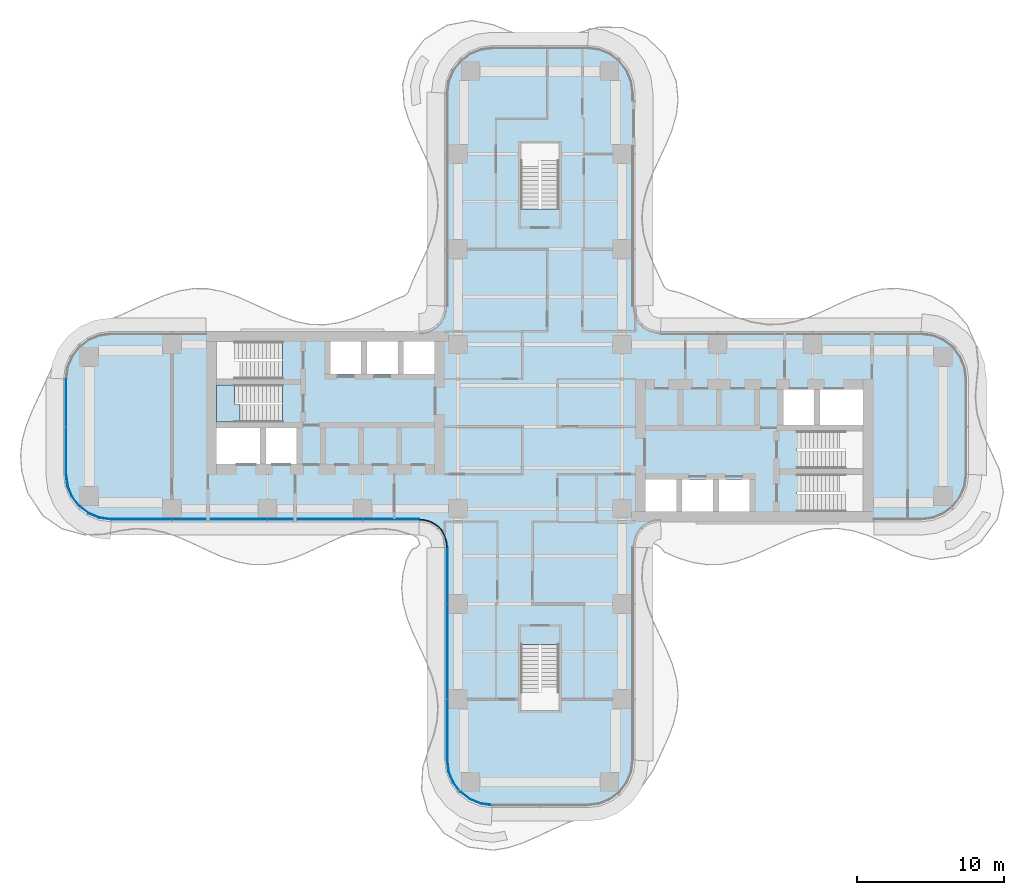
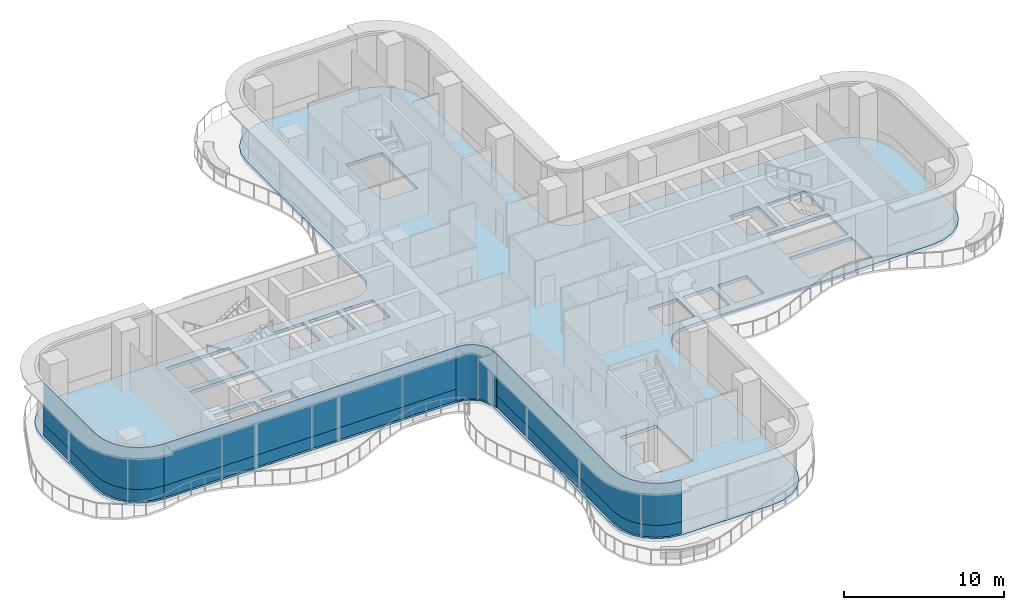
# One storey, part 12 of 20: 7 plates, 2 slabs, 5 elements without a shape of their own.
"""IFC4 building model written with IfcOpenShell, lengths in metres."""

from ifc_helpers import new_model, si_unit, direction, frame, origin, place, context, subcontext, project, spatial, polyline, outline, extrude, source, transform, mapped, material, layer, layer_set, type_object, element, aggregate, save


model = new_model("IFC4")

# Units and contexts
model_context = context("Model", 3, precision=1e-05, world=origin(), true_north=direction((0.0, 1.0)))
body_context = subcontext(model_context, "Body", "Model", "MODEL_VIEW")
ifc_project = project(units=[si_unit("LENGTHUNIT", "METRE"), si_unit("AREAUNIT", "SQUARE_METRE"), si_unit("VOLUMEUNIT", "CUBIC_METRE"), si_unit("PLANEANGLEUNIT", "RADIAN"), si_unit("MASSUNIT", "GRAM", prefix="KILO")], contexts=[model_context])

# Site, building, storey
site_placement = place(None, origin())
site = spatial("IfcSite", under=ifc_project, at=site_placement, CompositionType="ELEMENT")
building_placement = place(site_placement, origin())
building = spatial("IfcBuilding", under=site, at=building_placement, Name="Trellis Farm Tower", CompositionType="ELEMENT")
storey_placement = place(building_placement, frame((0.0, 0.0, 129.0)))
storey = spatial("IfcBuildingStorey", under=building, at=storey_placement, Name="L27", CompositionType="ELEMENT", Elevation=129.0)

# Slab
ifc_material_1 = material(Name="Concrete C40/50", Category="concrete")
ifc_layer_1 = layer(ifc_material_1, 0.25)
ifc_layer_set_1 = layer_set([ifc_layer_1], Name="Composite deck floor slab 250")
slab_type_1 = type_object("IfcSlabType", Name="Composite deck floor slab 250", PredefinedType="FLOOR", material=ifc_layer_set_1)
shared_shape_1 = source(origin(), body_context, "Body", "SweptSolid", [
    extrude(outline(polyline([(-30.09130859375, -6.389404296875), (-30.875, -6.064697265625), (-31.548095703125, -5.548095703125), (-32.064697265625, -4.875), (-32.389404296875, -4.09130859375), (-32.5, -3.25), (-32.5, 3.25), (-32.389404296875, 4.09130859375), (-32.064697265625, 4.875), (-31.548095703125, 5.548095703125), (-30.875, 6.064697265625), (-30.09130859375, 6.389404296875), (-29.25, 6.5), (-8.2314453125, 6.5), (-8.01953125, 6.513916015625), (-7.91552734375, 6.527587890625), (-7.508544921875, 6.63671875), (-7.144287109375, 6.846923828125), (-6.846923828125, 7.144287109375), (-6.63671875, 7.508544921875), (-6.527587890625, 7.91552734375), (-6.513916015625, 8.01953125), (-6.5, 8.2314453125), (-6.5, 22.75), (-6.389404296875, 23.59130859375), (-6.064697265625, 24.375), (-5.548095703125, 25.048095703125), (-4.875, 25.564697265625), (-4.09130859375, 25.889404296875), (-3.25, 26.0), (3.25, 26.0), (4.09130859375, 25.889404296875), (4.875, 25.564697265625), (5.548095703125, 25.048095703125), (6.064697265625, 24.375), (6.389404296875, 23.59130859375), (6.5, 22.75), (6.5, 8.2314453125), (6.513916015625, 8.01953125), (6.527587890625, 7.91552734375), (6.63671875, 7.508544921875), (6.846923828125, 7.144287109375), (7.144287109375, 6.846923828125), (7.508544921875, 6.63671875), (7.91552734375, 6.527587890625), (8.01953125, 6.513916015625), (8.2314453125, 6.5), (26.0, 6.5), (26.84130859375, 6.389404296875), (27.625, 6.064697265625), (28.298095703125, 5.548095703125), (28.814697265625, 4.875), (29.139404296875, 4.09130859375), (29.25, 3.25), (29.25, -3.25), (29.139404296875, -4.09130859375), (28.814697265625, -4.875), (28.298095703125, -5.548095703125), (27.625, -6.064697265625), (26.84130859375, -6.389404296875), (26.0, -6.5), (8.2314453125, -6.5), (8.01953125, -6.513916015625), (7.91552734375, -6.527587890625), (7.508544921875, -6.63671875), (7.144287109375, -6.846923828125), (6.846923828125, -7.144287109375), (6.63671875, -7.508544921875), (6.527587890625, -7.91552734375), (6.513916015625, -8.01953125), (6.5, -8.2314453125), (6.5, -22.75), (6.389404296875, -23.59130859375), (6.064697265625, -24.375), (5.548095703125, -25.048095703125), (4.875, -25.564697265625), (4.09130859375, -25.889404296875), (3.25, -26.0), (-3.25, -26.0), (-4.09130859375, -25.889404296875), (-4.875, -25.564697265625), (-5.548095703125, -25.048095703125), (-6.064697265625, -24.375), (-6.389404296875, -23.59130859375), (-6.5, -22.75), (-6.5, -8.2314453125), (-6.513916015625, -8.01953125), (-6.527587890625, -7.91552734375), (-6.63671875, -7.508544921875), (-6.846923828125, -7.144287109375), (-7.144287109375, -6.846923828125), (-7.508544921875, -6.63671875), (-7.91552734375, -6.527587890625), (-8.01953125, -6.513916015625), (-8.2314453125, -6.5), (-29.25, -6.5), (-30.09130859375, -6.389404296875)]), holes=[polyline([(-22.050048828125, -0.10009765625), (-22.050048828125, -2.550048828125), (-19.10009765625, -2.550048828125), (-19.10009765625, -0.10009765625), (-22.050048828125, -0.10009765625)]), polyline([(-18.699951171875, -0.10009765625), (-18.699951171875, -2.550048828125), (-16.60009765625, -2.550048828125), (-16.60009765625, -0.10009765625), (-18.699951171875, -0.10009765625)]), polyline([(-17.56201171875, 1.64990234375), (-17.56201171875, 2.85009765625), (-22.050048828125, 2.85009765625), (-22.050048828125, 0.300048828125), (-17.56005859375, 0.300048828125), (-17.56005859375, 1.5), (-17.550048828125, 1.5), (-17.550048828125, 1.64990234375), (-17.56201171875, 1.64990234375)]), polyline([(-17.56201171875, 4.60009765625), (-17.56201171875, 5.800048828125), (-22.050048828125, 5.800048828125), (-22.050048828125, 3.25), (-17.56005859375, 3.25), (-17.56005859375, 4.449951171875), (-17.550048828125, 4.449951171875), (-17.550048828125, 4.60009765625), (-17.56201171875, 4.60009765625)]), polyline([(-14.300048828125, 5.800048828125), (-14.300048828125, 3.60009765625), (-12.199951171875, 3.60009765625), (-12.199951171875, 5.800048828125), (-14.300048828125, 5.800048828125)]), polyline([(-11.800048828125, 5.800048828125), (-11.800048828125, 3.60009765625), (-9.699951171875, 3.60009765625), (-9.699951171875, 5.800048828125), (-11.800048828125, 5.800048828125)]), polyline([(-9.300048828125, 5.800048828125), (-9.300048828125, 3.60009765625), (-7.199951171875, 3.60009765625), (-7.199951171875, 5.800048828125), (-9.300048828125, 5.800048828125)]), polyline([(0.10009765625, 14.862060546875), (1.300048828125, 14.862060546875), (1.300048828125, 19.35009765625), (-1.300048828125, 19.35009765625), (-1.300048828125, 14.860107421875), (-0.10009765625, 14.860107421875), (-0.10009765625, 14.85009765625), (0.10009765625, 14.85009765625), (0.10009765625, 14.862060546875)]), polyline([(-0.10009765625, -14.862060546875), (-1.300048828125, -14.862060546875), (-1.300048828125, -19.35009765625), (1.300048828125, -19.35009765625), (1.300048828125, -14.860107421875), (0.10009765625, -14.860107421875), (0.10009765625, -14.85009765625), (-0.10009765625, -14.85009765625), (-0.10009765625, -14.862060546875)]), polyline([(9.300048828125, -5.800048828125), (9.300048828125, -3.60009765625), (7.199951171875, -3.60009765625), (7.199951171875, -5.800048828125), (9.300048828125, -5.800048828125)]), polyline([(11.800048828125, -5.800048828125), (11.800048828125, -3.60009765625), (9.699951171875, -3.60009765625), (9.699951171875, -5.800048828125), (11.800048828125, -5.800048828125)]), polyline([(14.300048828125, -5.800048828125), (14.300048828125, -3.60009765625), (12.199951171875, -3.60009765625), (12.199951171875, -5.800048828125), (14.300048828125, -5.800048828125)]), polyline([(17.56201171875, -4.60009765625), (17.56201171875, -5.800048828125), (22.050048828125, -5.800048828125), (22.050048828125, -3.25), (17.56005859375, -3.25), (17.56005859375, -4.449951171875), (17.550048828125, -4.449951171875), (17.550048828125, -4.60009765625), (17.56201171875, -4.60009765625)]), polyline([(17.56201171875, -1.64990234375), (17.56201171875, -2.85009765625), (22.050048828125, -2.85009765625), (22.050048828125, -0.300048828125), (17.56005859375, -0.300048828125), (17.56005859375, -1.5), (17.550048828125, -1.5), (17.550048828125, -1.64990234375), (17.56201171875, -1.64990234375)]), polyline([(18.699951171875, 0.10009765625), (18.699951171875, 2.550048828125), (16.60009765625, 2.550048828125), (16.60009765625, 0.10009765625), (18.699951171875, 0.10009765625)]), polyline([(22.050048828125, 0.10009765625), (22.050048828125, 2.550048828125), (19.10009765625, 2.550048828125), (19.10009765625, 0.10009765625), (22.050048828125, 0.10009765625)])]), origin(), (0.0, 0.0, 1.0), 0.25),
])
slab_1_placement = place(storey_placement, frame((0.0, 0.0, -0.25)))
element("IfcSlab", 1, at=slab_1_placement, inside=storey, type_object=slab_type_1, Name="Floor slab", PredefinedType="FLOOR", context=body_context, shape_type="MappedRepresentation", body=[
    mapped(shared_shape_1, transform((0.0, 0.0, 0.0))),
])

# Stair, slab
ifc_material_2 = material(Name="Concrete C50/60", Category="concrete")
stair_type = type_object("IfcStairType", Name="CORE EXIT STAIR 26 RISERS 173 MM", PredefinedType="HALF_TURN_STAIR", material=ifc_material_2)
placement_1 = place(storey_placement, origin())
stair = element("IfcStair", 2, at=placement_1, inside=storey, type_object=stair_type, Name="Exit stair W2", PredefinedType="HALF_TURN_STAIR")
ifc_layer_2 = layer(ifc_material_2, 0.18994140625)
ifc_layer_set_2 = layer_set([ifc_layer_2], Name="CORE STAIR LANDING 190 CONCRETE C50/60")
slab_type_2 = type_object("IfcSlabType", Name="CORE STAIR LANDING 190 CONCRETE C50/60", PredefinedType="LANDING", material=ifc_layer_set_2)
shared_shape_2 = source(origin(), body_context, "Body", "SweptSolid", [
    extrude(outline(polyline([(-20.453125, 1.5), (-20.453125, 0.300048828125), (-20.85009765625, 0.300048828125), (-22.050048828125, 0.300048828125), (-22.050048828125, 2.85009765625), (-20.85009765625, 2.85009765625), (-20.840087890625, 2.85009765625), (-20.840087890625, 1.64990234375), (-20.85009765625, 1.64990234375), (-20.85009765625, 1.5), (-20.453125, 1.5)])), origin(), (0.0, 0.0, 1.0), 0.18994140625),
])
slab_2_placement = place(storey_placement, frame((0.0, 0.0, 2.06005859375)))
slab_2 = element("IfcSlab", 3, at=slab_2_placement, type_object=slab_type_2, Name="STW2 landing 1", PredefinedType="LANDING", context=body_context, shape_type="MappedRepresentation", body=[
    mapped(shared_shape_2, transform((0.0, 0.0, 0.0))),
])
aggregate(stair, [slab_2])

# Curtain wall, plates
ifc_material_3 = material(Name="Aluminium and glass curtain wall", Category="aluminium")
ifc_layer_3 = layer(ifc_material_3, 0.18994140625)
ifc_layer_set_3 = layer_set([ifc_layer_3], Name="RIBBON CURTAIN WALL CW1")
curtain_wall_type_1 = type_object("IfcCurtainWallType", Name="RIBBON CURTAIN WALL CW1", PredefinedType="NOTDEFINED", material=ifc_layer_set_3)
curtain_wall_1 = element("IfcCurtainWall", 4, at=placement_1, inside=storey, type_object=curtain_wall_type_1, Name="CW1 001", PredefinedType="NOTDEFINED")
ifc_material_4 = material(Name="Clear insulated glass", Category="glass")
ifc_layer_4 = layer(ifc_material_4, 0.0400390625)
ifc_layer_set_4 = layer_set([ifc_layer_4], Name="CW1 GLASS PANEL 40")
plate_type_1 = type_object("IfcPlateType", Name="CW1 GLASS PANEL 40", PredefinedType="CURTAIN_PANEL", material=ifc_layer_set_4)
shared_shape_3 = source(origin(), body_context, "Body", "SweptSolid", [
    extrude(outline(polyline([(-29.240234375, -6.35009765625), (-8.2265625, -6.35009765625), (-8.22509765625, -6.31005859375), (-29.237548828125, -6.31005859375), (-29.240234375, -6.35009765625)])), origin(), (0.0, 0.0, 1.0), 3.170166015625),
])
placement_2 = place(storey_placement, frame((0.0, 0.0, 0.89990234375)))
plate_1 = element("IfcPlate", 5, at=placement_2, type_object=plate_type_1, Name="PL1 001", PredefinedType="CURTAIN_PANEL", context=body_context, shape_type="MappedRepresentation", body=[
    mapped(shared_shape_3, transform((0.0, 0.0, 0.0))),
])
ifc_material_5 = material(Name="Sandstone faced insulated panel", Category="masonry")
ifc_layer_5 = layer(ifc_material_5, 0.050048828125)
ifc_layer_set_5 = layer_set([ifc_layer_5], Name="CW1 STONE SPANDREL PANEL 50")
plate_type_2 = type_object("IfcPlateType", Name="CW1 STONE SPANDREL PANEL 50", PredefinedType="CURTAIN_PANEL", material=ifc_layer_set_5)
shared_shape_4 = source(origin(), body_context, "Body", "SweptSolid", [
    extrude(outline(polyline([(-29.240234375, -6.35009765625), (-8.2265625, -6.35009765625), (-8.224853515625, -6.300048828125), (-29.23681640625, -6.300048828125), (-29.240234375, -6.35009765625)])), origin(), (0.0, 0.0, 1.0), 0.89990234375),
])
plate_2 = element("IfcPlate", 6, at=placement_1, type_object=plate_type_2, Name="PS1 001", PredefinedType="CURTAIN_PANEL", context=body_context, shape_type="MappedRepresentation", body=[
    mapped(shared_shape_4, transform((0.0, 0.0, 0.0))),
])
aggregate(curtain_wall_1, [plate_1, plate_2])

# Curtain wall, plate
ifc_layer_6 = layer(ifc_material_3, 0.166015625)
ifc_layer_set_6 = layer_set([ifc_layer_6], Name="WINTER GARDEN CURTAIN WALL CW3")
curtain_wall_type_2 = type_object("IfcCurtainWallType", Name="WINTER GARDEN CURTAIN WALL CW3", PredefinedType="NOTDEFINED", material=ifc_layer_set_6)
curtain_wall_2 = element("IfcCurtainWall", 7, at=placement_1, inside=storey, type_object=curtain_wall_type_2, Name="CW3 001", PredefinedType="NOTDEFINED")
ifc_layer_7 = layer(ifc_material_4, 0.0458984375)
ifc_layer_set_7 = layer_set([ifc_layer_7], Name="CW3 GLASS PANEL 46")
plate_type_3 = type_object("IfcPlateType", Name="CW3 GLASS PANEL 46", PredefinedType="CURTAIN_PANEL", material=ifc_layer_set_7)
shared_shape_5 = source(origin(), body_context, "Body", "SweptSolid", [
    extrude(outline(polyline([(-8.2275390625, -6.3798828125), (-8.0078125, -6.394287109375), (-7.89208984375, -6.40966796875), (-7.462158203125, -6.52490234375), (-7.070556640625, -6.7509765625), (-6.7509765625, -7.070556640625), (-6.52490234375, -7.462158203125), (-6.40966796875, -7.89208984375), (-6.394287109375, -8.0078125), (-6.3798828125, -8.2275390625), (-6.333984375, -8.22607421875), (-6.3486328125, -8.003173828125), (-6.364501953125, -7.883056640625), (-6.48193359375, -7.4443359375), (-6.714111328125, -7.04248046875), (-7.04248046875, -6.714111328125), (-7.4443359375, -6.48193359375), (-7.883056640625, -6.364501953125), (-8.003173828125, -6.3486328125), (-8.22607421875, -6.333984375), (-8.2275390625, -6.3798828125)])), origin(), (0.0, 0.0, 1.0), 4.10009765625),
])
plate_3 = element("IfcPlate", 8, at=placement_1, type_object=plate_type_3, Name="PL3 001", PredefinedType="CURTAIN_PANEL", context=body_context, shape_type="MappedRepresentation", body=[
    mapped(shared_shape_5, transform((0.0, 0.0, 0.0))),
])
aggregate(curtain_wall_2, [plate_3])

# Curtain wall, plates
curtain_wall_3 = element("IfcCurtainWall", 9, at=placement_1, inside=storey, type_object=curtain_wall_type_1, Name="CW1 013", PredefinedType="NOTDEFINED")
shared_shape_6 = source(origin(), body_context, "Body", "SweptSolid", [
    extrude(outline(polyline([(-32.35009765625, 3.240234375), (-32.35009765625, -3.240234375), (-32.2431640625, -4.052001953125), (-31.93359375, -4.79931640625), (-31.441162109375, -5.441162109375), (-30.79931640625, -5.93359375), (-30.052001953125, -6.2431640625), (-29.240234375, -6.35009765625), (-29.237548828125, -6.31005859375), (-30.04150390625, -6.2041015625), (-30.779296875, -5.898681640625), (-31.41259765625, -5.41259765625), (-31.898681640625, -4.779296875), (-32.2041015625, -4.04150390625), (-32.31005859375, -3.237548828125), (-32.31005859375, 3.237548828125), (-32.35009765625, 3.240234375)])), origin(), (0.0, 0.0, 1.0), 3.170166015625),
])
plate_4 = element("IfcPlate", 10, at=placement_2, type_object=plate_type_1, Name="PL1 013", PredefinedType="CURTAIN_PANEL", context=body_context, shape_type="MappedRepresentation", body=[
    mapped(shared_shape_6, transform((0.0, 0.0, 0.0))),
])
shared_shape_7 = source(origin(), body_context, "Body", "SweptSolid", [
    extrude(outline(polyline([(-32.35009765625, 3.240234375), (-32.35009765625, -3.240234375), (-32.2431640625, -4.052001953125), (-31.93359375, -4.79931640625), (-31.441162109375, -5.441162109375), (-30.79931640625, -5.93359375), (-30.052001953125, -6.2431640625), (-29.240234375, -6.35009765625), (-29.23681640625, -6.300048828125), (-30.0390625, -6.1943359375), (-30.774169921875, -5.889892578125), (-31.405517578125, -5.405517578125), (-31.889892578125, -4.774169921875), (-32.1943359375, -4.0390625), (-32.300048828125, -3.23681640625), (-32.300048828125, 3.23681640625), (-32.35009765625, 3.240234375)])), origin(), (0.0, 0.0, 1.0), 0.89990234375),
])
plate_5 = element("IfcPlate", 11, at=placement_1, type_object=plate_type_2, Name="PS1 013", PredefinedType="CURTAIN_PANEL", context=body_context, shape_type="MappedRepresentation", body=[
    mapped(shared_shape_7, transform((0.0, 0.0, 0.0))),
])
aggregate(curtain_wall_3, [plate_4, plate_5])

curtain_wall_4 = element("IfcCurtainWall", 12, at=placement_1, inside=storey, type_object=curtain_wall_type_1, Name="CW1 002", PredefinedType="NOTDEFINED")
shared_shape_8 = source(origin(), body_context, "Body", "SweptSolid", [
    extrude(outline(polyline([(-6.35009765625, -8.2265625), (-6.35009765625, -22.740234375), (-6.2431640625, -23.552001953125), (-5.93359375, -24.29931640625), (-5.441162109375, -24.941162109375), (-4.79931640625, -25.43359375), (-4.052001953125, -25.7431640625), (-3.240234375, -25.85009765625), (-3.237548828125, -25.81005859375), (-4.04150390625, -25.7041015625), (-4.779296875, -25.398681640625), (-5.41259765625, -24.91259765625), (-5.898681640625, -24.279296875), (-6.2041015625, -23.54150390625), (-6.31005859375, -22.737548828125), (-6.31005859375, -8.22509765625), (-6.35009765625, -8.2265625)])), origin(), (0.0, 0.0, 1.0), 3.170166015625),
])
plate_6 = element("IfcPlate", 13, at=placement_2, type_object=plate_type_1, Name="PL1 002", PredefinedType="CURTAIN_PANEL", context=body_context, shape_type="MappedRepresentation", body=[
    mapped(shared_shape_8, transform((0.0, 0.0, 0.0))),
])
shared_shape_9 = source(origin(), body_context, "Body", "SweptSolid", [
    extrude(outline(polyline([(-6.35009765625, -8.2265625), (-6.35009765625, -22.740234375), (-6.2431640625, -23.552001953125), (-5.93359375, -24.29931640625), (-5.441162109375, -24.941162109375), (-4.79931640625, -25.43359375), (-4.052001953125, -25.7431640625), (-3.240234375, -25.85009765625), (-3.23681640625, -25.800048828125), (-4.0390625, -25.6943359375), (-4.774169921875, -25.389892578125), (-5.405517578125, -24.905517578125), (-5.889892578125, -24.274169921875), (-6.1943359375, -23.5390625), (-6.300048828125, -22.73681640625), (-6.300048828125, -8.224853515625), (-6.35009765625, -8.2265625)])), origin(), (0.0, 0.0, 1.0), 0.89990234375),
])
plate_7 = element("IfcPlate", 14, at=placement_1, type_object=plate_type_2, Name="PS1 002", PredefinedType="CURTAIN_PANEL", context=body_context, shape_type="MappedRepresentation", body=[
    mapped(shared_shape_9, transform((0.0, 0.0, 0.0))),
])
aggregate(curtain_wall_4, [plate_6, plate_7])

save(model, "model.ifc")
